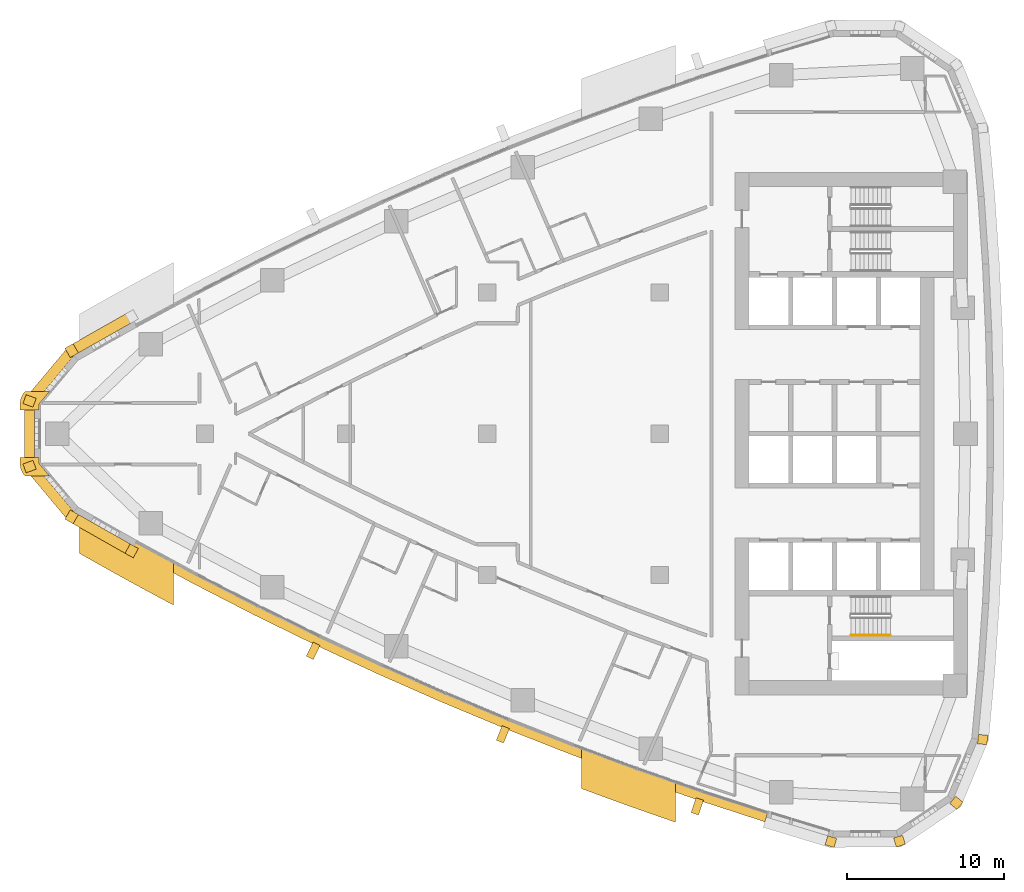
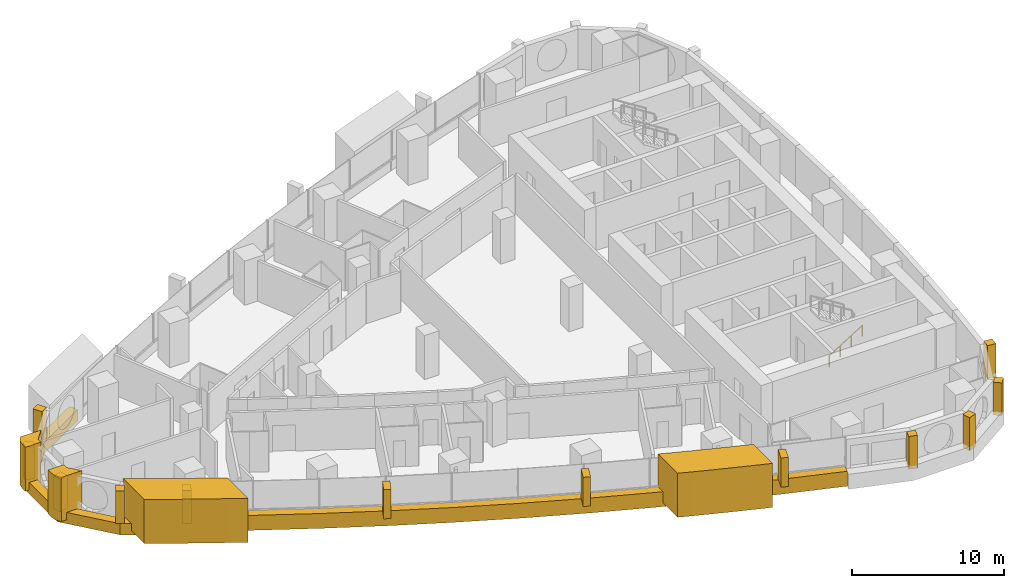
# One storey, part 14 of 17: 18 coverings, 1 railing.
"""IFC4 building model written with IfcOpenShell, lengths in metres."""

from ifc_helpers import new_model, si_unit, direction, frame, frame_2d, origin, origin_2d, place, context, subcontext, project, spatial, polyline, rectangle, circle, outline, extrude, material, layer, layer_set, type_object, element, save


model = new_model("IFC4")

# Units and contexts
model_context = context("Model", 3, precision=1e-05, world=origin(), true_north=direction((0.0, 1.0)))
body_context = subcontext(model_context, "Body", "Model", "MODEL_VIEW")
ifc_project = project(units=[si_unit("LENGTHUNIT", "METRE"), si_unit("AREAUNIT", "SQUARE_METRE"), si_unit("VOLUMEUNIT", "CUBIC_METRE"), si_unit("PLANEANGLEUNIT", "RADIAN"), si_unit("MASSUNIT", "GRAM", prefix="KILO")], contexts=[model_context])

# Site, building, storey
site_placement = place(None, origin())
site = spatial("IfcSite", under=ifc_project, at=site_placement, CompositionType="ELEMENT")
building_placement = place(site_placement, origin())
building = spatial("IfcBuilding", under=site, at=building_placement, Name="Ostrand Prow Hotel Tower", CompositionType="ELEMENT")
storey_placement = place(building_placement, frame((0.0, 0.0, 130.199951171875)))
storey = spatial("IfcBuildingStorey", under=building, at=storey_placement, Name="L31", CompositionType="ELEMENT", Elevation=130.199951171875)

# Coverings
ifc_material_1 = material(Name="Bronze anodised aluminium cladding", Category="aluminium")
ifc_layer_1 = layer(ifc_material_1, 0.60009765625)
ifc_layer_set_1 = layer_set([ifc_layer_1], Name="Bronze anodised aluminium cladding")
covering_type_1 = type_object("IfcCoveringType", Name="Bronze prow band 899x600", PredefinedType="CLADDING", material=ifc_layer_set_1)
covering_1_placement = place(storey_placement, frame((0.0, 0.0, -0.300048828125)))
element("IfcCovering", 1, at=covering_1_placement, inside=storey, type_object=covering_type_1, Name="Bronze prow band", PredefinedType="CLADDING", context=body_context, shape_type="SweptSolid", body=[
    extrude(outline(polyline([(11.16845703125, 7.766845703125), (7.335205078125, 5.594970703125), (4.5009765625, 2.208251953125), (4.5009765625, -2.208251953125), (7.335205078125, -5.594970703125), (11.16845703125, -7.766845703125), (11.497802734375, -7.171875), (7.676513671875, -5.006591796875), (5.14013671875, -1.97607421875), (5.14013671875, 1.97607421875), (7.676513671875, 5.006591796875), (11.497802734375, 7.171875), (11.16845703125, 7.766845703125)])), origin(), (0.0, 0.0, 1.0), 0.900146484375),
])
ifc_material_2 = material(Name="Bronze anodised aluminium cladding", Category="aluminium")
ifc_layer_2 = layer(ifc_material_2, 0.60009765625)
ifc_layer_set_2 = layer_set([ifc_layer_2], Name="Bronze anodised aluminium cladding")
covering_type_2 = type_object("IfcCoveringType", Name="Bronze spandrel band 1200x600", PredefinedType="CLADDING", material=ifc_layer_set_2)
covering_2_placement = place(storey_placement, frame((0.0, 0.0, -0.300048828125)))
element("IfcCovering", 2, at=covering_2_placement, inside=storey, type_object=covering_type_2, Name="Spandrel band S1", PredefinedType="CLADDING", context=body_context, shape_type="SweptSolid", body=[
    extrude(outline(polyline([(11.3466796875, -7.445068359375), (15.21630859375, -9.535888671875), (19.126953125, -11.548828125), (23.077392578125, -13.482666015625), (27.06591796875, -15.336669921875), (31.091064453125, -17.110107421875), (35.15087890625, -18.80224609375), (39.243896484375, -20.41259765625), (43.368408203125, -21.9404296875), (47.522705078125, -23.385009765625), (51.705322265625, -24.74560546875), (51.88525390625, -24.17333984375), (47.714111328125, -22.81640625), (43.571044921875, -21.375732421875), (39.457763671875, -19.85205078125), (35.376220703125, -18.24609375), (31.327392578125, -16.55859375), (27.3134765625, -14.7900390625), (23.335693359375, -12.941162109375), (19.396240234375, -11.0126953125), (15.49609375, -9.00537109375), (11.63720703125, -6.920166015625), (11.3466796875, -7.445068359375)])), origin(), (0.0, 0.0, 1.0), 1.2001953125),
])
ifc_material_3 = material(Name="Limestone cladding", Category="masonry")
ifc_layer_3 = layer(ifc_material_3, 5.0)
ifc_layer_set_3 = layer_set([ifc_layer_3], Name="Limestone cladding")
covering_type_3 = type_object("IfcCoveringType", Name="Portal jamb pilaster limestone", PredefinedType="CLADDING", material=ifc_layer_set_3)
covering_3_placement = place(storey_placement, origin())
element("IfcCovering", 3, at=covering_3_placement, inside=storey, type_object=covering_type_3, Name="Portal jamb SA L31", PredefinedType="CLADDING", context=body_context, shape_type="SweptSolid", body=[
    extrude(outline(polyline([(8.0, -4.861572265625), (8.0, -7.62939453125), (9.0, -8.1962890625), (10.0, -8.75634765625), (11.0, -9.3095703125), (12.0, -9.856201171875), (13.0, -10.39599609375), (14.0, -10.92919921875), (14.0, -8.208740234375), (13.0, -7.66796875), (12.0, -7.12060546875), (11.0, -6.566162109375), (10.0, -6.0048828125), (9.0, -5.436767578125), (8.0, -4.861572265625)])), origin(), (0.0, 0.0, 1.0), 3.550048828125),
])
covering_4_placement = place(storey_placement, origin())
element("IfcCovering", 4, at=covering_4_placement, inside=storey, type_object=covering_type_3, Name="Portal jamb SB L31", PredefinedType="CLADDING", context=body_context, shape_type="SweptSolid", body=[
    extrude(outline(polyline([(40.0, -20.058349609375), (40.0, -22.622802734375), (41.0, -22.994140625), (42.0, -23.360107421875), (43.0, -23.720458984375), (44.0, -24.075439453125), (45.0, -24.425048828125), (46.0, -24.769287109375), (46.0, -22.231689453125), (45.0, -21.883056640625), (44.0, -21.529296875), (43.0, -21.169921875), (42.0, -20.804931640625), (41.0, -20.434326171875), (40.0, -20.058349609375)])), origin(), (0.0, 0.0, 1.0), 3.550048828125),
])
ifc_material_4 = material(Name="Limestone cladding", Category="masonry")
ifc_layer_4 = layer(ifc_material_4, 0.5)
ifc_layer_set_4 = layer_set([ifc_layer_4], Name="Limestone cladding")
covering_type_4 = type_object("IfcCoveringType", Name="Precast stone fin 500x900", PredefinedType="CLADDING", material=ifc_layer_set_4)
covering_5_placement = place(storey_placement, frame((23.12060546875, -13.392333984375, 0.900146484375), z_axis=(0.0, 0.0, 1.0), x_axis=(-0.430634686673, -0.902526324621, 0.0)))
element("IfcCovering", 5, at=covering_5_placement, inside=storey, type_object=covering_type_4, Name="Stone fin S 4", PredefinedType="CLADDING", context=body_context, shape_type="SweptSolid", body=[
    extrude(rectangle(XDim=1.0, YDim=0.5, at=frame_2d((0.5, 0.0))), origin(), (0.0, 0.0, 1.0), 2.349853515625),
])
covering_6_placement = place(storey_placement, frame((35.188232421875, -18.709716796875, 0.900146484375), z_axis=(0.0, 0.0, 1.0), x_axis=(-0.375302653349, -0.926902324082, 0.0)))
element("IfcCovering", 6, at=covering_6_placement, inside=storey, type_object=covering_type_4, Name="Stone fin S 7", PredefinedType="CLADDING", context=body_context, shape_type="SweptSolid", body=[
    extrude(rectangle(XDim=0.999755859375, YDim=0.5, at=frame_2d((0.5, 0.0))), origin(), (0.0, 0.0, 1.0), 2.349853515625),
])
covering_7_placement = place(storey_placement, frame((47.5546875, -23.290283203125, 0.900146484375), z_axis=(0.0, 0.0, 1.0), x_axis=(-0.319082696504, -0.947726876685, 0.0)))
element("IfcCovering", 7, at=covering_7_placement, inside=storey, type_object=covering_type_4, Name="Stone fin S 10", PredefinedType="CLADDING", context=body_context, shape_type="SweptSolid", body=[
    extrude(rectangle(XDim=1.0, YDim=0.5, at=frame_2d((0.5, 0.0))), origin(), (0.0, 0.0, 1.0), 2.349853515625),
])
ifc_material_5 = material(Name="Limestone cladding", Category="masonry")
ifc_layer_5 = layer(ifc_material_5, 0.60009765625)
ifc_layer_set_5 = layer_set([ifc_layer_5], Name="Limestone cladding")
covering_type_5 = type_object("IfcCoveringType", Name="Precast stone prow rib 600x600", PredefinedType="CLADDING", material=ifc_layer_set_5)
covering_8_placement = place(storey_placement, frame((7.676513671875, 5.006591796875, 0.60009765625), z_axis=(0.0, 0.0, 1.0), x_axis=(-0.501771803437, 0.865000033107, 0.0)))
element("IfcCovering", 8, at=covering_8_placement, inside=storey, type_object=covering_type_5, Name="Stone prow rib 2", PredefinedType="CLADDING", context=body_context, shape_type="SweptSolid", body=[
    extrude(rectangle(XDim=0.68017578125, YDim=0.60009765625, at=frame_2d((0.340087890625, 0.0))), origin(), (0.0, 0.0, 1.0), 2.64990234375),
])
for number, where, z_axis, x_axis, name in (
    (9, (5.14013671875, 1.97607421875, 0.60009765625), (0.0, 0.0, 1.0), (-0.939908674991, 0.341425954896, 0.0), "Stone prow rib 3"),
    (10, (5.14013671875, -1.97607421875, 0.60009765625), (0.0, 0.0, 1.0), (-0.939908674991, -0.341425954896, 0.0), "Stone prow rib 4"),
):
    element("IfcCovering", number, at=place(storey_placement, frame(where, z_axis=z_axis, x_axis=x_axis)), inside=storey, type_object=covering_type_5, Name=name, PredefinedType="CLADDING", context=body_context, shape_type="SweptSolid", body=[
        extrude(rectangle(XDim=0.679931640625, YDim=0.60009765625, at=frame_2d((0.33984375, 0.0))), origin(), (0.0, 0.0, 1.0), 2.64990234375),
    ])
covering_9_placement = place(storey_placement, frame((7.676513671875, -5.006591796875, 0.60009765625), z_axis=(0.0, 0.0, 1.0), x_axis=(-0.501771803437, -0.865000033107, 0.0)))
element("IfcCovering", 11, at=covering_9_placement, inside=storey, type_object=covering_type_5, Name="Stone prow rib 5", PredefinedType="CLADDING", context=body_context, shape_type="SweptSolid", body=[
    extrude(rectangle(XDim=0.68017578125, YDim=0.60009765625, at=frame_2d((0.340087890625, 0.0))), origin(), (0.0, 0.0, 1.0), 2.64990234375),
])
covering_10_placement = place(storey_placement, frame((11.497802734375, -7.171875, 0.60009765625), z_axis=(0.0, 0.0, 1.0), x_axis=(-0.484301161624, -0.874901357211, 0.0)))
element("IfcCovering", 12, at=covering_10_placement, inside=storey, type_object=covering_type_5, Name="Stone prow rib 6", PredefinedType="CLADDING", context=body_context, shape_type="SweptSolid", body=[
    extrude(rectangle(XDim=0.679931640625, YDim=0.60009765625, at=frame_2d((0.33984375, 0.0))), origin(), (0.0, 0.0, 1.0), 2.64990234375),
])
covering_11_placement = place(storey_placement, frame((56.001953125, -25.722412109375, 0.60009765625), z_axis=(0.0, 0.0, 1.0), x_axis=(-0.280734221166, -0.959785547436, 0.0)))
element("IfcCovering", 13, at=covering_11_placement, inside=storey, type_object=covering_type_5, Name="Stone corner rib 2a", PredefinedType="CLADDING", context=body_context, shape_type="SweptSolid", body=[
    extrude(rectangle(XDim=0.60009765625, YDim=0.60009765625, at=frame_2d((0.300048828125, 0.0))), origin(), (0.0, 0.0, 1.0), 2.64990234375),
])
for number, where, z_axis, x_axis, name in (
    (14, (60.201171875, -25.689697265625, 0.60009765625), (0.0, 0.0, 1.0), (0.295515682615, -0.955337888565, 0.0), "Stone corner rib 3a"),
    (15, (63.68505859375, -23.34521484375, 0.60009765625), (0.0, 0.0, 1.0), (0.773830327772, -0.633392945825, 0.0), "Stone corner rib 4a"),
):
    element("IfcCovering", number, at=place(storey_placement, frame(where, z_axis=z_axis, x_axis=x_axis)), inside=storey, type_object=covering_type_5, Name=name, PredefinedType="CLADDING", context=body_context, shape_type="SweptSolid", body=[
        extrude(rectangle(XDim=0.599853515625, YDim=0.60009765625, at=frame_2d((0.2998046875, 0.0))), origin(), (0.0, 0.0, 1.0), 2.64990234375),
    ])
covering_12_placement = place(storey_placement, frame((65.296875, -19.467529296875, 0.60009765625), z_axis=(0.0, 0.0, 1.0), x_axis=(0.994854249607, -0.101316445052, 0.0)))
element("IfcCovering", 16, at=covering_12_placement, inside=storey, type_object=covering_type_5, Name="Stone corner rib 4b", PredefinedType="CLADDING", context=body_context, shape_type="SweptSolid", body=[
    extrude(rectangle(XDim=0.60009765625, YDim=0.60009765625, at=frame_2d((0.300048828125, 0.0))), origin(), (0.0, 0.0, 1.0), 2.64990234375),
])
ifc_material_6 = material(Name="Limestone cladding", Category="masonry")
ifc_layer_6 = layer(ifc_material_6, 3.0)
ifc_layer_set_6 = layer_set([ifc_layer_6], Name="Limestone cladding")
covering_type_6 = type_object("IfcCoveringType", Name="Prow nose pier limestone", PredefinedType="CLADDING", material=ifc_layer_set_6)
covering_13_placement = place(storey_placement, origin())
element("IfcCovering", 17, at=covering_13_placement, inside=storey, type_object=covering_type_6, Name="Prow spine fin N L31", PredefinedType="CLADDING", context=body_context, shape_type="SweptSolid", body=[
    extrude(outline(polyline([(4.210693359375, 1.877685546875), (4.210693359375, 1.5), (5.41064453125, 1.5), (5.41064453125, 1.877685546875), (6.098876953125, 2.699951171875), (4.533935546875, 2.699951171875), (4.490478515625, 2.64794921875), (4.41845703125, 2.552490234375), (4.356201171875, 2.45068359375), (4.304443359375, 2.343017578125), (4.263916015625, 2.230712890625), (4.234375, 2.114990234375), (4.216552734375, 1.9970703125), (4.210693359375, 1.877685546875)])), origin(), (0.0, 0.0, 1.0), 3.550048828125),
])
covering_14_placement = place(storey_placement, origin())
element("IfcCovering", 18, at=covering_14_placement, inside=storey, type_object=covering_type_6, Name="Prow spine fin S L31", PredefinedType="CLADDING", context=body_context, shape_type="SweptSolid", body=[
    extrude(outline(polyline([(4.490478515625, -2.64794921875), (4.533935546875, -2.699951171875), (6.098876953125, -2.699951171875), (5.41064453125, -1.877685546875), (5.41064453125, -1.5), (4.210693359375, -1.5), (4.210693359375, -1.877685546875), (4.216552734375, -1.9970703125), (4.234375, -2.114990234375), (4.263916015625, -2.230712890625), (4.304443359375, -2.343017578125), (4.356201171875, -2.45068359375), (4.41845703125, -2.552490234375), (4.490478515625, -2.64794921875)])), origin(), (0.0, 0.0, 1.0), 3.550048828125),
])

# Railing
ifc_material_7 = material(Name="Stainless steel", Category="steel")
railing_type = type_object("IfcRailingType", Name="Stair handrail 900", PredefinedType="HANDRAIL", material=ifc_material_7)
railing_placement = place(storey_placement, frame((57.199951171875, -12.85009765625, 0.177490234375)))
element("IfcRailing", 19, at=railing_placement, inside=storey, type_object=railing_type, Name="L31 ST2C stair handrail 1", PredefinedType="HANDRAIL", context=body_context, shape_type="SweptSolid", body=[
    extrude(circle(Radius=0.02392578125, at=origin_2d()), frame((0.0, 0.0, 0.8759765625), z_axis=(0.84456994832, 0.0, 0.535445237532), x_axis=(0.0, 1.0, 0.0)), (0.0, 0.0, 1.0), 2.98388671875),
    extrude(circle(Radius=0.02099609375, at=origin_2d()), origin(), (0.0, 0.0, 1.0), 0.851806640625),
    extrude(circle(Radius=0.02099609375, at=origin_2d()), frame((0.840087890625, 0.0, 0.532470703125)), (0.0, 0.0, 1.0), 0.851806640625),
    extrude(circle(Radius=0.02099609375, at=origin_2d()), frame((1.679931640625, 0.0, 1.065185546875)), (0.0, 0.0, 1.0), 0.851806640625),
    extrude(circle(Radius=0.02099609375, at=origin_2d()), frame((2.52001953125, 0.0, 1.59765625)), (0.0, 0.0, 1.0), 0.851806640625),
])

save(model, "model.ifc")
